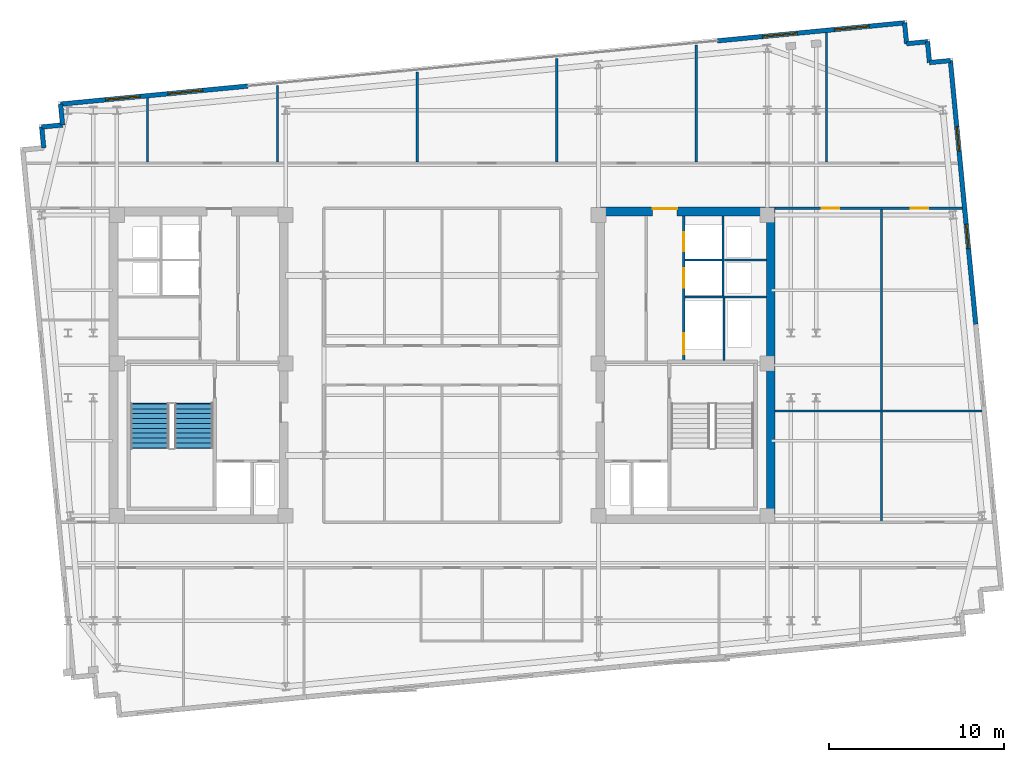
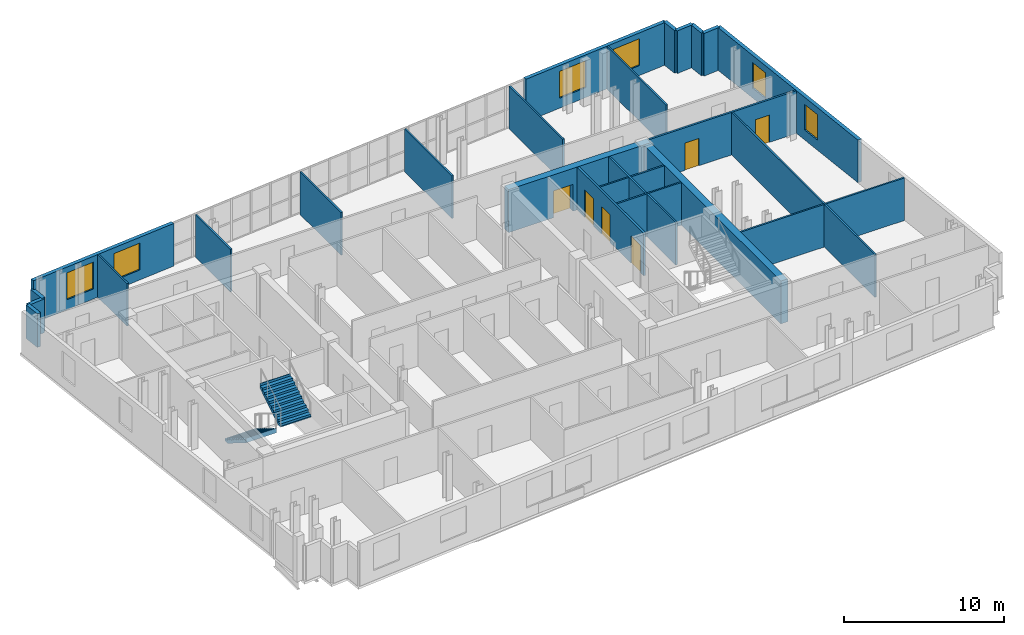
# One storey, part 9 of 11: 27 walls, 6 doors, 6 windows, 2 stair flights, 12 openings, 1 element without a shape of its own.
"""IFC4 building model written with IfcOpenShell, lengths in metres."""

import ifcopenshell
import ifcopenshell.guid

model = None  # the IFC model being written
_history = None  # IfcOwnerHistory: only IFC2X3 demands one
_inside = {}  # id of a spatial element -> (the spatial element, [elements in it])
_under = {}  # id of a project, library or spatial element -> (it, [spatial elements below it])
_declared = {}  # id of a project -> (the project, [libraries it declares])
_typed = {}  # id of a type object -> (the type object, [elements of that type])
_made_of = {}  # id of a material, layer set ... -> (it, [elements and type objects made of it])


def new_model(schema):
    """Start an empty IFC model of exactly this schema.

    Asked for "IFC4X3", IfcOpenShell would pick the latest addendum, in which some entities
    have other attributes; the version numbers below select the first issue.
    IFC2X3 requires an IfcOwnerHistory on every rooted entity: one is made here for all.
    """
    global model, _history
    if schema == "IFC4X3":
        model = ifcopenshell.file(schema_version=(4, 3, 0, 0))
    else:
        model = ifcopenshell.file(schema=schema)
    _inside.clear()
    _under.clear()
    _declared.clear()
    _typed.clear()
    _made_of.clear()
    _history = None
    if model.schema == "IFC2X3":
        org = make("IfcOrganization", Name="unknown")
        user = make(
            "IfcPersonAndOrganization",
            ThePerson=make("IfcPerson", FamilyName="unknown"),
            TheOrganization=org,
        )
        app = make(
            "IfcApplication",
            ApplicationDeveloper=org,
            Version="unknown",
            ApplicationFullName="unknown",
            ApplicationIdentifier="unknown",
        )
        _history = make(
            "IfcOwnerHistory",
            OwningUser=user,
            OwningApplication=app,
            ChangeAction="ADDED",
            CreationDate=0,
        )
    return model


def make(cls, **values):
    """One entity of the class cls with the attributes given. An attribute that is None is left unset."""
    return model.create_entity(
        cls, **{name: value for name, value in values.items() if value is not None}
    )


def rooted(cls, **values):
    """An entity with a GlobalId (a new one), such as an element, a storey or a relation."""
    return make(cls, GlobalId=ifcopenshell.guid.new(), OwnerHistory=_history, **values)


def si_unit(unit_type, name, prefix=None):
    """IfcSIUnit, for example si_unit("LENGTHUNIT", "METRE", prefix="MILLI")."""
    return make("IfcSIUnit", UnitType=unit_type, Prefix=prefix, Name=name)


def assignment(units):
    """IfcUnitAssignment: the units of a project."""
    return None if units is None else make("IfcUnitAssignment", Units=units)


def point(xyz):
    """IfcCartesianPoint."""
    return None if xyz is None else make("IfcCartesianPoint", Coordinates=xyz)


def direction(xyz):
    """IfcDirection."""
    return None if xyz is None else make("IfcDirection", DirectionRatios=xyz)


def frame(location, z_axis=None, x_axis=None):
    """IfcAxis2Placement3D, a coordinate frame: its origin and axes. An axis left out is left unset."""
    return make(
        "IfcAxis2Placement3D",
        Location=point(location),
        Axis=direction(z_axis),
        RefDirection=direction(x_axis),
    )


def frame_2d(location, x_axis=None):
    """IfcAxis2Placement2D, a coordinate frame in the plane: its origin and x axis."""
    return make(
        "IfcAxis2Placement2D", Location=point(location), RefDirection=direction(x_axis)
    )


def origin():
    """The frame at (0, 0, 0) with its axes left unset."""
    return frame((0.0, 0.0, 0.0))


def place(relative_to, where):
    """IfcLocalPlacement: puts the frame where relative to a parent placement (None: the world)."""
    return make(
        "IfcLocalPlacement", PlacementRelTo=relative_to, RelativePlacement=where
    )


def context(
    kind, dimensions, precision=None, world=None, true_north=None, identifier=None
):
    """IfcGeometricRepresentationContext, for example the 3D "Model" context."""
    return make(
        "IfcGeometricRepresentationContext",
        ContextIdentifier=identifier,
        ContextType=kind,
        CoordinateSpaceDimension=dimensions,
        Precision=precision,
        WorldCoordinateSystem=world,
        TrueNorth=true_north,
    )


def subcontext(parent, identifier, kind, view, scale=None):
    """IfcGeometricRepresentationSubContext, for example "Body" below "Model"."""
    return make(
        "IfcGeometricRepresentationSubContext",
        ContextIdentifier=identifier,
        ContextType=kind,
        ParentContext=parent,
        TargetScale=scale,
        TargetView=view,
    )


def project(units=None, contexts=None):
    """IfcProject with its units and contexts."""
    return rooted(
        "IfcProject",
        Name="project",
        RepresentationContexts=contexts,
        UnitsInContext=assignment(units),
    )


def spatial(cls, under=None, at=None, **own):
    """A site, building, storey or space (cls), placed at a placement, below another one or the project."""
    s = rooted(cls, ObjectPlacement=at, **own)
    if under is not None:
        _under.setdefault(under.id(), (under, []))[1].append(s)
    return s


def polyline(points):
    """IfcPolyline through the points."""
    return make("IfcPolyline", Points=[point(p) for p in points])


def profile(cls, at=None, kind="AREA", **sizes):
    """A parametric profile (cls). Its sizes go by their IFC names, for example OverallWidth=200.0."""
    return make(cls, ProfileType=kind, Position=at, **sizes)


def rectangle(**sizes):
    """IfcRectangleProfileDef."""
    return profile("IfcRectangleProfileDef", **sizes)


def outline(outer, holes=None, kind="AREA"):
    """IfcArbitraryClosedProfileDef: a profile drawn as a closed curve; with holes, ...WithVoids."""
    if holes is None:
        return make("IfcArbitraryClosedProfileDef", ProfileType=kind, OuterCurve=outer)
    return make(
        "IfcArbitraryProfileDefWithVoids",
        ProfileType=kind,
        OuterCurve=outer,
        InnerCurves=holes,
    )


def extrude(swept, where, along, depth):
    """IfcExtrudedAreaSolid: the profile swept, set in the frame where, extruded along a direction by depth."""
    return make(
        "IfcExtrudedAreaSolid",
        SweptArea=swept,
        Position=where,
        ExtrudedDirection=direction(along),
        Depth=depth,
    )


def shape(context_of_items, identifier, shape_type, items):
    """IfcShapeRepresentation: the items that make up one representation, for example the "Body"."""
    return make(
        "IfcShapeRepresentation",
        ContextOfItems=context_of_items,
        RepresentationIdentifier=identifier,
        RepresentationType=shape_type,
        Items=items,
    )


def material(Name=None, Category=None):
    """IfcMaterial."""
    return make("IfcMaterial", Name=Name, Category=Category)


def layer(
    of_material, thickness, ventilated=None, Name=None, Category=None, Priority=None
):
    """IfcMaterialLayer: one layer of a wall or slab, of a material (None: an air gap)."""
    return make(
        "IfcMaterialLayer",
        Material=of_material,
        LayerThickness=thickness,
        IsVentilated=ventilated,
        Name=Name,
        Category=Category,
        Priority=Priority,
    )


def layer_set(layers, Name=None):
    """IfcMaterialLayerSet."""
    return make("IfcMaterialLayerSet", MaterialLayers=layers, LayerSetName=Name)


def made_of(thing, what):
    """Note that an element or type object is made of a material, layer set ...; save() writes the relation."""
    if what is not None:
        _made_of.setdefault(what.id(), (what, []))[1].append(thing)
    return thing


def type_object(cls, material=None, **own):
    """A type object (cls), such as IfcWallType, which elements share."""
    return made_of(rooted(cls, **own), material)


def element(
    cls,
    number,
    at=None,
    inside=None,
    cuts=None,
    type_object=None,
    material=None,
    context=None,
    identifier="Body",
    shape_type=None,
    held_by="IfcProductDefinitionShape",
    body=None,
    shapes=None,
    **own,
):
    """One element of the class cls, such as IfcWall. Its Tag is "e" and its number.

    at: its placement. inside: the storey or other place that contains it. cuts: it is an
    opening in that element (IfcRelVoidsElement). A single representation is given by context,
    identifier, shape_type and body (its items); several are given by shapes. held_by: the class
    of the entity that holds the representations. save() writes the other relations.
    """
    e = rooted(cls, Tag="e%d" % number, ObjectPlacement=at, **own)
    if body is not None:
        shapes = [shape(context, identifier, shape_type, body)]
    if shapes is not None:
        e.Representation = make(held_by, Representations=shapes)
    if inside is not None:
        _inside.setdefault(inside.id(), (inside, []))[1].append(e)
    if cuts is not None:
        rooted(
            "IfcRelVoidsElement", RelatingBuildingElement=cuts, RelatedOpeningElement=e
        )
    if type_object is not None:
        _typed.setdefault(type_object.id(), (type_object, []))[1].append(e)
    return made_of(e, material)


def fill(opening, filler):
    """IfcRelFillsElement: the door or window that sits in an opening."""
    return rooted(
        "IfcRelFillsElement",
        RelatingOpeningElement=opening,
        RelatedBuildingElement=filler,
    )


def aggregate(whole, parts):
    """IfcRelAggregates: a whole, such as a stair, and the parts it consists of."""
    return rooted("IfcRelAggregates", RelatingObject=whole, RelatedObjects=parts)


def save(model, path):
    """Write the relations noted so far, then the file.

    IfcRelAggregates (storeys below a building ...), IfcRelContainedInSpatialStructure (elements
    in a storey), IfcRelDefinesByType, IfcRelAssociatesMaterial and IfcRelDeclares: one each for
    every whole, place, type object, material and project.
    """
    for whole, parts in _under.values():
        aggregate(whole, parts)
    for where, things in _inside.values():
        rooted(
            "IfcRelContainedInSpatialStructure",
            RelatedElements=things,
            RelatingStructure=where,
        )
    for kind, things in _typed.values():
        rooted("IfcRelDefinesByType", RelatedObjects=things, RelatingType=kind)
    for what, things in _made_of.values():
        rooted("IfcRelAssociatesMaterial", RelatedObjects=things, RelatingMaterial=what)
    for by, libraries in _declared.values():
        rooted("IfcRelDeclares", RelatingContext=by, RelatedDefinitions=libraries)
    model.write(path)


model = new_model("IFC4")

# Units and contexts
model_context = context("Model", 3, precision=1e-05, world=origin(), true_north=direction((0.0, 1.0)))
body_context = subcontext(model_context, "Body", "Model", "MODEL_VIEW")
ifc_project = project(units=[si_unit("LENGTHUNIT", "METRE"), si_unit("AREAUNIT", "SQUARE_METRE"), si_unit("VOLUMEUNIT", "CUBIC_METRE"), si_unit("PLANEANGLEUNIT", "RADIAN"), si_unit("MASSUNIT", "GRAM", prefix="KILO")], contexts=[model_context])

# Site, building, storey
site_placement = place(None, origin())
site = spatial("IfcSite", under=ifc_project, at=site_placement, CompositionType="ELEMENT")
building_placement = place(site_placement, origin())
building = spatial("IfcBuilding", under=site, at=building_placement, Name="Velakula Bourse", CompositionType="ELEMENT")
storey_placement = place(building_placement, frame((0.0, 0.0, 279.300048828125)))
storey = spatial("IfcBuildingStorey", under=building, at=storey_placement, Name="L76", CompositionType="ELEMENT", Elevation=279.300048828125)

# Wall, opening, door
ifc_material_1 = material(Name="Concrete M50 (fck 50 MPa)", Category="concrete")
ifc_layer_1 = layer(ifc_material_1, 0.5, Name="Concrete M50 (fck 50 MPa)", Category="concrete")
ifc_layer_set_1 = layer_set([ifc_layer_1], Name="Concrete M50 (fck 50 MPa)")
wall_type_1 = type_object("IfcWallType", Name="WL-CORE-500", PredefinedType="SHEAR", material=ifc_layer_set_1)
wall_1_placement = place(storey_placement, frame((8.800048828125, 8.800048828125, 0.0), z_axis=(0.0, 0.0, 1.0), x_axis=(1.0, 0.0, 0.0)))
wall_1 = element("IfcWall", 1, at=wall_1_placement, inside=storey, type_object=wall_type_1, Name="L76 Core E Shear Wall N", PredefinedType="SHEAR", context=body_context, shape_type="SweptSolid", body=[
    extrude(rectangle(XDim=10.25, YDim=0.5, at=frame_2d((5.125, 0.0))), origin(), (0.0, 0.0, 1.0), 3.27001953125),
])
opening_1_placement = place(wall_1_placement, frame((3.25, 0.0, 0.0)))
opening_1 = element("IfcOpeningElement", 2, at=opening_1_placement, cuts=wall_1, Name="Opening D-LLE", PredefinedType="OPENING", context=body_context, shape_type="SweptSolid", body=[
    extrude(rectangle(XDim=1.39990234375, YDim=2.050048828125, at=frame_2d((0.699951171875, 1.02490234375))), frame((0.0, 0.260009765625, 0.0), z_axis=(0.0, -1.0, 0.0), x_axis=(1.0, 0.0, 0.0)), (0.0, 0.0, 1.0), 0.52001953125),
])
ifc_material_2 = material(Name="Fire-rated hardwood flush architectural door", Category="wood")
door_type_1 = type_object("IfcDoorType", Name="DR-DBL-FD60-1400", OperationType="DOUBLE_DOOR_SINGLE_SWING", PredefinedType="DOOR", material=ifc_material_2)
door_1_placement = place(opening_1_placement, origin())
door_1 = element("IfcDoor", 3, at=door_1_placement, inside=storey, type_object=door_type_1, Name="L76 Core E Lift Lobby Corridor Double Door", OperationType="DOUBLE_DOOR_SINGLE_SWING", OverallHeight=2.050048828125, OverallWidth=1.39990234375, PredefinedType="DOOR", context=body_context, shape_type="SweptSolid", body=[
    extrude(rectangle(XDim=1.39990234375, YDim=2.050048828125, at=frame_2d((0.699951171875, 1.02490234375))), frame((0.0, 0.19482421875, 0.0), z_axis=(0.0, -1.0, 0.0), x_axis=(1.0, 0.0, 0.0)), (0.0, 0.0, 1.0), 0.050048828125),
])
fill(opening_1, door_1)

# Wall
wall_2_placement = place(storey_placement, frame((18.800048828125, -8.550048828125, 0.0), z_axis=(0.0, 0.0, 1.0), x_axis=(0.0, 1.0, 0.0)))
element("IfcWall", 4, at=wall_2_placement, inside=storey, type_object=wall_type_1, Name="L76 Core E Shear Wall E", PredefinedType="SHEAR", context=body_context, shape_type="SweptSolid", body=[
    extrude(rectangle(XDim=17.10009765625, YDim=0.5, at=frame_2d((8.550048828125, 0.0))), origin(), (0.0, 0.0, 1.0), 3.27001953125),
])

# Wall, openings, windows
ifc_material_3 = material(Name="Buff kilned clay facing brick masonry", Category="masonry")
ifc_layer_2 = layer(ifc_material_3, 0.260009765625, Name="Buff kilned clay facing brick masonry", Category="masonry")
ifc_layer_set_2 = layer_set([ifc_layer_2], Name="Buff kilned clay facing brick masonry")
wall_type_2 = type_object("IfcWallType", Name="WL-EXT-BRK-260", PredefinedType="STANDARD", material=ifc_layer_set_2)
wall_3_placement = place(storey_placement, frame((-21.820556640625, 14.94482421875, 0.0), z_axis=(0.0, 0.0, 1.0), x_axis=(0.995394787719, 0.095860401528, 0.0)))
wall_3 = element("IfcWall", 5, at=wall_3_placement, inside=storey, type_object=wall_type_2, Name="L76 N Brick Spandrel Wall B1", PredefinedType="STANDARD", context=body_context, shape_type="SweptSolid", body=[
    extrude(rectangle(XDim=10.750244140625, YDim=0.260009765625, at=frame_2d((5.375, 0.0))), origin(), (0.0, 0.0, 1.0), 3.25),
])
opening_2_placement = place(wall_3_placement, frame((2.583251953125, 0.0, 0.760009765625)))
opening_2 = element("IfcOpeningElement", 6, at=opening_2_placement, cuts=wall_3, Name="Opening W-05", PredefinedType="OPENING", context=body_context, shape_type="SweptSolid", body=[
    extrude(rectangle(XDim=2.0, YDim=2.050048828125, at=frame_2d((1.0, 1.02490234375))), frame((0.0, 0.139892578125, 0.0), z_axis=(0.0, -1.0, 0.0), x_axis=(1.0, 0.0, 0.0)), (0.0, 0.0, 1.0), 0.280029296875),
])
opening_3_placement = place(wall_3_placement, frame((6.166748046875, 0.0, 0.760009765625)))
opening_3 = element("IfcOpeningElement", 7, at=opening_3_placement, cuts=wall_3, Name="Opening W-05", PredefinedType="OPENING", context=body_context, shape_type="SweptSolid", body=[
    extrude(rectangle(XDim=2.0, YDim=2.050048828125, at=frame_2d((1.0, 1.02490234375))), frame((0.0, 0.139892578125, 0.0), z_axis=(0.0, -1.0, 0.0), x_axis=(1.0, 0.0, 0.0)), (0.0, 0.0, 1.0), 0.280029296875),
])
ifc_material_4 = material(Name="Double-glazed solar-control Low-E glass", Category="glass")
window_type_1 = type_object("IfcWindowType", Name="WIN-TWR-2000x2200", PartitioningType="DOUBLE_PANEL_VERTICAL", PredefinedType="WINDOW", material=ifc_material_4)
window_1_placement = place(opening_2_placement, origin())
window_1 = element("IfcWindow", 8, at=window_1_placement, inside=storey, type_object=window_type_1, Name="L76 Deep-Set Recessed Window 1", OverallHeight=2.050048828125, OverallWidth=2.0, PartitioningType="DOUBLE_PANEL_VERTICAL", PredefinedType="WINDOW", context=body_context, shape_type="SweptSolid", body=[
    extrude(rectangle(XDim=2.0, YDim=2.050048828125, at=frame_2d((1.0, 1.02490234375))), frame((0.0, 0.030029296875, 0.0), z_axis=(0.0, -1.0, 0.0), x_axis=(1.0, 0.0, 0.0)), (0.0, 0.0, 1.0), 0.06005859375),
])
fill(opening_2, window_1)
window_2_placement = place(opening_3_placement, origin())
window_2 = element("IfcWindow", 9, at=window_2_placement, inside=storey, type_object=window_type_1, Name="L76 Deep-Set Recessed Window 2", OverallHeight=2.050048828125, OverallWidth=2.0, PartitioningType="DOUBLE_PANEL_VERTICAL", PredefinedType="WINDOW", context=body_context, shape_type="SweptSolid", body=[
    extrude(rectangle(XDim=2.0, YDim=2.050048828125, at=frame_2d((1.0, 1.02490234375))), frame((0.0, 0.030029296875, 0.0), z_axis=(0.0, -1.0, 0.0), x_axis=(1.0, 0.0, 0.0)), (0.0, 0.0, 1.0), 0.06005859375),
])
fill(opening_3, window_2)

wall_4_placement = place(storey_placement, frame((15.755859375, 18.563232421875, 0.0), z_axis=(0.0, 0.0, 1.0), x_axis=(0.995396745868, 0.095840066339, 0.0)))
wall_4 = element("IfcWall", 10, at=wall_4_placement, inside=storey, type_object=wall_type_2, Name="L76 N Brick Spandrel Wall B5", PredefinedType="STANDARD", context=body_context, shape_type="SweptSolid", body=[
    extrude(rectangle(XDim=10.75, YDim=0.260009765625, at=frame_2d((5.375, 0.0))), origin(), (0.0, 0.0, 1.0), 3.25),
])
opening_4_placement = place(wall_4_placement, frame((2.583251953125, 0.0, 0.760009765625)))
opening_4 = element("IfcOpeningElement", 11, at=opening_4_placement, cuts=wall_4, Name="Opening W-05", PredefinedType="OPENING", context=body_context, shape_type="SweptSolid", body=[
    extrude(rectangle(XDim=2.0, YDim=2.050048828125, at=frame_2d((1.0, 1.02490234375))), frame((0.0, 0.139892578125, 0.0), z_axis=(0.0, -1.0, 0.0), x_axis=(1.0, 0.0, 0.0)), (0.0, 0.0, 1.0), 0.280029296875),
])
opening_5_placement = place(wall_4_placement, frame((6.716796875, 0.0, 0.760009765625)))
opening_5 = element("IfcOpeningElement", 12, at=opening_5_placement, cuts=wall_4, Name="Opening W-05", PredefinedType="OPENING", context=body_context, shape_type="SweptSolid", body=[
    extrude(rectangle(XDim=2.0, YDim=2.050048828125, at=frame_2d((1.0, 1.02490234375))), frame((0.0, 0.139892578125, 0.0), z_axis=(0.0, -1.0, 0.0), x_axis=(1.0, 0.0, 0.0)), (0.0, 0.0, 1.0), 0.280029296875),
])
window_3_placement = place(opening_4_placement, origin())
window_3 = element("IfcWindow", 13, at=window_3_placement, inside=storey, type_object=window_type_1, Name="L76 Deep-Set Recessed Window 1", OverallHeight=2.050048828125, OverallWidth=2.0, PartitioningType="DOUBLE_PANEL_VERTICAL", PredefinedType="WINDOW", context=body_context, shape_type="SweptSolid", body=[
    extrude(rectangle(XDim=2.0, YDim=2.050048828125, at=frame_2d((1.0, 1.02490234375))), frame((0.0, 0.030029296875, 0.0), z_axis=(0.0, -1.0, 0.0), x_axis=(1.0, 0.0, 0.0)), (0.0, 0.0, 1.0), 0.06005859375),
])
fill(opening_4, window_3)
window_4_placement = place(opening_5_placement, origin())
window_4 = element("IfcWindow", 14, at=window_4_placement, inside=storey, type_object=window_type_1, Name="L76 Deep-Set Recessed Window 2", OverallHeight=2.050048828125, OverallWidth=2.0, PartitioningType="DOUBLE_PANEL_VERTICAL", PredefinedType="WINDOW", context=body_context, shape_type="SweptSolid", body=[
    extrude(rectangle(XDim=2.0, YDim=2.050048828125, at=frame_2d((1.0, 1.02490234375))), frame((0.0, 0.030029296875, 0.0), z_axis=(0.0, -1.0, 0.0), x_axis=(1.0, 0.0, 0.0)), (0.0, 0.0, 1.0), 0.06005859375),
])
fill(opening_5, window_4)

wall_5_placement = place(storey_placement, frame((29.0751953125, 17.4345703125, 0.0), z_axis=(0.0, 0.0, 1.0), x_axis=(0.095850890337, -0.995395703638, 0.0)))
wall_5 = element("IfcWall", 15, at=wall_5_placement, inside=storey, type_object=wall_type_2, Name="L76 E Brick End Wall W2", PredefinedType="STANDARD", context=body_context, shape_type="SweptSolid", body=[
    extrude(rectangle(XDim=15.150146484375, YDim=0.260009765625, at=frame_2d((7.5751953125, 0.0))), origin(), (0.0, 0.0, 1.0), 3.25),
])
opening_6_placement = place(wall_5_placement, frame((3.800048828125, 0.0, 0.760009765625)))
opening_6 = element("IfcOpeningElement", 16, at=opening_6_placement, cuts=wall_5, Name="Opening W-03", PredefinedType="OPENING", context=body_context, shape_type="SweptSolid", body=[
    extrude(rectangle(XDim=1.39990234375, YDim=1.949951171875, at=frame_2d((0.699951171875, 0.97509765625))), frame((0.0, 0.139892578125, 0.0), z_axis=(0.0, -1.0, 0.0), x_axis=(1.0, 0.0, 0.0)), (0.0, 0.0, 1.0), 0.280029296875),
])
opening_7_placement = place(wall_5_placement, frame((9.39990234375, 0.0, 0.760009765625)))
opening_7 = element("IfcOpeningElement", 17, at=opening_7_placement, cuts=wall_5, Name="Opening W-03", PredefinedType="OPENING", context=body_context, shape_type="SweptSolid", body=[
    extrude(rectangle(XDim=1.39990234375, YDim=1.949951171875, at=frame_2d((0.699951171875, 0.97509765625))), frame((0.0, 0.139892578125, 0.0), z_axis=(0.0, -1.0, 0.0), x_axis=(1.0, 0.0, 0.0)), (0.0, 0.0, 1.0), 0.280029296875),
])
window_type_2 = type_object("IfcWindowType", Name="WIN-TWR-1400x2100", PartitioningType="SINGLE_PANEL", PredefinedType="WINDOW", material=ifc_material_4)
window_5_placement = place(opening_6_placement, origin())
window_5 = element("IfcWindow", 18, at=window_5_placement, inside=storey, type_object=window_type_2, Name="L76 Deep-Set Recessed Window 1", OverallHeight=1.949951171875, OverallWidth=1.39990234375, PartitioningType="SINGLE_PANEL", PredefinedType="WINDOW", context=body_context, shape_type="SweptSolid", body=[
    extrude(rectangle(XDim=1.39990234375, YDim=1.949951171875, at=frame_2d((0.699951171875, 0.97509765625))), frame((0.0, 0.030029296875, 0.0), z_axis=(0.0, -1.0, 0.0), x_axis=(1.0, 0.0, 0.0)), (0.0, 0.0, 1.0), 0.06005859375),
])
fill(opening_6, window_5)
window_6_placement = place(opening_7_placement, origin())
window_6 = element("IfcWindow", 19, at=window_6_placement, inside=storey, type_object=window_type_2, Name="L76 Deep-Set Recessed Window 2", OverallHeight=1.949951171875, OverallWidth=1.39990234375, PartitioningType="SINGLE_PANEL", PredefinedType="WINDOW", context=body_context, shape_type="SweptSolid", body=[
    extrude(rectangle(XDim=1.39990234375, YDim=1.949951171875, at=frame_2d((0.699951171875, 0.97509765625))), frame((0.0, 0.030029296875, 0.0), z_axis=(0.0, -1.0, 0.0), x_axis=(1.0, 0.0, 0.0)), (0.0, 0.0, 1.0), 0.06005859375),
])
fill(opening_7, window_6)

# Walls
for number, where, z_axis, x_axis, name in (
    (20, (29.0751953125, 17.4345703125, 0.0), (0.0, 0.0, 1.0), (-0.995397091755, -0.095836473879, 0.0), "L76 Serrated Corner Brick Wall NE-1"),
    (21, (27.880859375, 17.319580078125, 0.0), (0.0, 0.0, 1.0), (-0.095836473879, 0.995397091755, 0.0), "L76 Serrated Corner Brick Wall NE-2"),
):
    element("IfcWall", number, at=place(storey_placement, frame(where, z_axis=z_axis, x_axis=x_axis)), inside=storey, type_object=wall_type_2, Name=name, PredefinedType="STANDARD", context=body_context, shape_type="SweptSolid", body=[
        extrude(rectangle(XDim=1.199951171875, YDim=0.260009765625, at=frame_2d((0.60009765625, 0.0))), origin(), (0.0, 0.0, 1.0), 3.25),
    ])
for number, where, z_axis, x_axis, name in (
    (22, (27.765869140625, 18.513916015625, 0.0), (0.0, 0.0, 1.0), (-0.995398960025, -0.095817067274, 0.0), "L76 Serrated Corner Brick Wall NE-3"),
    (23, (26.5712890625, 18.39892578125, 0.0), (0.0, 0.0, 1.0), (-0.095817067274, 0.995398960025, 0.0), "L76 Serrated Corner Brick Wall NE-4"),
):
    element("IfcWall", number, at=place(storey_placement, frame(where, z_axis=z_axis, x_axis=x_axis)), inside=storey, type_object=wall_type_2, Name=name, PredefinedType="STANDARD", context=body_context, shape_type="SweptSolid", body=[
        extrude(rectangle(XDim=1.2001953125, YDim=0.260009765625, at=frame_2d((0.60009765625, 0.0))), origin(), (0.0, 0.0, 1.0), 3.25),
    ])
wall_6_placement = place(storey_placement, frame((-21.820556640625, 14.94482421875, 0.0), z_axis=(0.0, 0.0, 1.0), x_axis=(0.096038073607, -0.995377661201, 0.0)))
element("IfcWall", 24, at=wall_6_placement, inside=storey, type_object=wall_type_2, Name="L76 Serrated Corner Brick Wall NW-1", PredefinedType="STANDARD", context=body_context, shape_type="SweptSolid", body=[
    extrude(rectangle(XDim=1.199951171875, YDim=0.260009765625, at=frame_2d((0.60009765625, 0.0))), origin(), (0.0, 0.0, 1.0), 2.56494140625),
])
for number, where, z_axis, x_axis, name in (
    (25, (-21.705322265625, 13.75048828125, 0.0), (0.0, 0.0, 1.0), (-0.995398960025, -0.095817067274, 0.0), "L76 Serrated Corner Brick Wall NW-2"),
    (26, (-22.89990234375, 13.635498046875, 0.0), (0.0, 0.0, 1.0), (0.095817067274, -0.995398960025, 0.0), "L76 Serrated Corner Brick Wall NW-3"),
):
    element("IfcWall", number, at=place(storey_placement, frame(where, z_axis=z_axis, x_axis=x_axis)), inside=storey, type_object=wall_type_2, Name=name, PredefinedType="STANDARD", context=body_context, shape_type="SweptSolid", body=[
        extrude(rectangle(XDim=1.2001953125, YDim=0.260009765625, at=frame_2d((0.60009765625, 0.0))), origin(), (0.0, 0.0, 1.0), 2.56494140625),
    ])
ifc_material_5 = material(Name="Fire-rated double-layer gypsum drywall partition", Category="gypsum")
ifc_layer_3 = layer(ifc_material_5, 0.1201171875, Name="Fire-rated double-layer gypsum drywall partition", Category="gypsum")
ifc_layer_set_3 = layer_set([ifc_layer_3], Name="Fire-rated double-layer gypsum drywall partition")
wall_type_3 = type_object("IfcWallType", Name="WL-PART-120", PredefinedType="STANDARD", material=ifc_layer_set_3)
wall_7_placement = place(storey_placement, frame((13.89990234375, 3.919921875, 0.0), z_axis=(0.0, 0.0, 1.0), x_axis=(1.0, 0.0, 0.0)))
element("IfcWall", 27, at=wall_7_placement, inside=storey, type_object=wall_type_3, Name="L76 Interior Partition WL-CRE-L76-HI-S", PredefinedType="STANDARD", context=body_context, shape_type="SweptSolid", body=[
    extrude(rectangle(XDim=4.650146484375, YDim=0.1201171875, at=frame_2d((2.3251953125, 0.0))), origin(), (0.0, 0.0, 1.0), 3.25),
])
wall_8_placement = place(storey_placement, frame((16.14990234375, 6.030029296875, 0.0), z_axis=(0.0, 0.0, 1.0), x_axis=(1.0, 0.0, 0.0)))
element("IfcWall", 28, at=wall_8_placement, inside=storey, type_object=wall_type_3, Name="L76 Interior Partition WL-CRE-L76-RIS-MID", PredefinedType="STANDARD", context=body_context, shape_type="SweptSolid", body=[
    extrude(rectangle(XDim=2.400146484375, YDim=0.1201171875, at=frame_2d((1.2001953125, 0.0))), origin(), (0.0, 0.0, 1.0), 3.25),
])
wall_9_placement = place(storey_placement, frame((16.074951171875, 3.97998046875, 0.0), z_axis=(0.0, 0.0, 1.0), x_axis=(0.0, 1.0, 0.0)))
element("IfcWall", 29, at=wall_9_placement, inside=storey, type_object=wall_type_3, Name="L76 Interior Partition WL-CRE-L76-RIS-F", PredefinedType="STANDARD", context=body_context, shape_type="SweptSolid", body=[
    extrude(rectangle(XDim=4.570068359375, YDim=0.1201171875, at=frame_2d((2.28515625, 0.0))), origin(), (0.0, 0.0, 1.0), 3.25),
])
wall_10_placement = place(storey_placement, frame((13.89990234375, 6.030029296875, 0.0), z_axis=(0.0, 0.0, 1.0), x_axis=(1.0, 0.0, 0.0)))
element("IfcWall", 30, at=wall_10_placement, inside=storey, type_object=wall_type_3, Name="L76 Interior Partition WL-CRE-L76-HI-DIV", PredefinedType="STANDARD", context=body_context, shape_type="SweptSolid", body=[
    extrude(rectangle(XDim=2.10009765625, YDim=0.1201171875, at=frame_2d((1.050048828125, 0.0))), origin(), (0.0, 0.0, 1.0), 3.25),
])
wall_11_placement = place(storey_placement, frame((16.125, 0.27001953125, 0.0), z_axis=(0.0, 0.0, 1.0), x_axis=(0.0, 1.0, 0.0)))
element("IfcWall", 31, at=wall_11_placement, inside=storey, type_object=wall_type_3, Name="L76 Interior Partition WL-CRE-L76-SVL-E", PredefinedType="STANDARD", context=body_context, shape_type="SweptSolid", body=[
    extrude(rectangle(XDim=3.590087890625, YDim=0.1201171875, at=frame_2d((1.794921875, 0.0))), origin(), (0.0, 0.0, 1.0), 3.25),
])
wall_12_placement = place(storey_placement, frame((-16.85400390625, 11.639892578125, 0.0), z_axis=(0.0, 0.0, 1.0), x_axis=(0.0, 1.0, 0.0)))
element("IfcWall", 32, at=wall_12_placement, inside=storey, type_object=wall_type_3, Name="L76 Interior Partition WL-INT-L76-N-D1", PredefinedType="STANDARD", context=body_context, shape_type="SweptSolid", body=[
    extrude(rectangle(XDim=3.652587890625, YDim=0.1201171875, at=frame_2d((1.826171875, 0.0))), origin(), (0.0, 0.0, 1.0), 3.25),
])
wall_13_placement = place(storey_placement, frame((-9.404052734375, 11.639892578125, 0.0), z_axis=(0.0, 0.0, 1.0), x_axis=(0.0, 1.0, 0.0)))
element("IfcWall", 33, at=wall_13_placement, inside=storey, type_object=wall_type_3, Name="L76 Interior Partition WL-INT-L76-N-D2", PredefinedType="STANDARD", context=body_context, shape_type="SweptSolid", body=[
    extrude(rectangle(XDim=4.3701171875, YDim=0.1201171875, at=frame_2d((2.18505859375, 0.0))), origin(), (0.0, 0.0, 1.0), 3.25),
])
wall_14_placement = place(storey_placement, frame((-1.422119140625, 11.639892578125, 0.0), z_axis=(0.0, 0.0, 1.0), x_axis=(0.0, 1.0, 0.0)))
element("IfcWall", 34, at=wall_14_placement, inside=storey, type_object=wall_type_3, Name="L76 Interior Partition WL-INT-L76-N-D3", PredefinedType="STANDARD", context=body_context, shape_type="SweptSolid", body=[
    extrude(rectangle(XDim=5.138671875, YDim=0.1201171875, at=frame_2d((2.5693359375, 0.0))), origin(), (0.0, 0.0, 1.0), 3.25),
])
wall_15_placement = place(storey_placement, frame((6.56005859375, 11.639892578125, 0.0), z_axis=(0.0, 0.0, 1.0), x_axis=(0.0, 1.0, 0.0)))
element("IfcWall", 35, at=wall_15_placement, inside=storey, type_object=wall_type_3, Name="L76 Interior Partition WL-INT-L76-N-D4", PredefinedType="STANDARD", context=body_context, shape_type="SweptSolid", body=[
    extrude(rectangle(XDim=5.9072265625, YDim=0.1201171875, at=frame_2d((2.95361328125, 0.0))), origin(), (0.0, 0.0, 1.0), 3.25),
])
wall_16_placement = place(storey_placement, frame((14.5419921875, 11.639892578125, 0.0), z_axis=(0.0, 0.0, 1.0), x_axis=(0.0, 1.0, 0.0)))
element("IfcWall", 36, at=wall_16_placement, inside=storey, type_object=wall_type_3, Name="L76 Interior Partition WL-INT-L76-N-D5", PredefinedType="STANDARD", context=body_context, shape_type="SweptSolid", body=[
    extrude(rectangle(XDim=6.67578125, YDim=0.1201171875, at=frame_2d((3.337890625, 0.0))), origin(), (0.0, 0.0, 1.0), 3.25),
])
wall_17_placement = place(storey_placement, frame((21.991943359375, 11.639892578125, 0.0), z_axis=(0.0, 0.0, 1.0), x_axis=(0.0, 1.0, 0.0)))
element("IfcWall", 37, at=wall_17_placement, inside=storey, type_object=wall_type_3, Name="L76 Interior Partition WL-INT-L76-N-D6", PredefinedType="STANDARD", context=body_context, shape_type="SweptSolid", body=[
    extrude(rectangle(XDim=7.39306640625, YDim=0.1201171875, at=frame_2d((3.696533203125, 0.0))), origin(), (0.0, 0.0, 1.0), 3.25),
])
wall_18_placement = place(storey_placement, frame((19.050048828125, -2.60009765625, 0.0), z_axis=(0.0, 0.0, 1.0), x_axis=(1.0, 0.0, 0.0)))
element("IfcWall", 38, at=wall_18_placement, inside=storey, type_object=wall_type_3, Name="L76 Interior Partition WL-INT-L76-E-H", PredefinedType="STANDARD", context=body_context, shape_type="SweptSolid", body=[
    extrude(rectangle(XDim=11.82373046875, YDim=0.1201171875, at=frame_2d((5.911865234375, 0.0))), origin(), (0.0, 0.0, 1.0), 3.25),
])
wall_19_placement = place(storey_placement, frame((25.138916015625, -8.97998046875, 0.0), z_axis=(0.0, 0.0, 1.0), x_axis=(0.0, 1.0, 0.0)))
element("IfcWall", 39, at=wall_19_placement, inside=storey, type_object=wall_type_3, Name="L76 Interior Partition WL-INT-L76-E-V1", PredefinedType="STANDARD", context=body_context, shape_type="SweptSolid", body=[
    extrude(rectangle(XDim=17.9599609375, YDim=0.1201171875, at=frame_2d((8.97998046875, 0.0))), origin(), (0.0, 0.0, 1.0), 3.25),
])

# Wall, openings, doors
ifc_layer_4 = layer(ifc_material_5, 0.139892578125, Name="Fire-rated double-layer gypsum drywall partition", Category="gypsum")
ifc_layer_set_4 = layer_set([ifc_layer_4], Name="Fire-rated double-layer gypsum drywall partition")
wall_type_4 = type_object("IfcWallType", Name="WL-PART-140", PredefinedType="STANDARD", material=ifc_layer_set_4)
wall_20_placement = place(storey_placement, frame((19.050048828125, 8.97998046875, 0.0), z_axis=(0.0, 0.0, 1.0), x_axis=(1.0, 0.0, 0.0)))
wall_20 = element("IfcWall", 40, at=wall_20_placement, inside=storey, type_object=wall_type_4, Name="L76 Interior Partition WL-INT-L76-E-NC", PredefinedType="STANDARD", context=body_context, shape_type="SweptSolid", body=[
    extrude(rectangle(XDim=10.708740234375, YDim=0.139892578125, at=frame_2d((5.3544921875, 0.0))), origin(), (0.0, 0.0, 1.0), 3.25),
])
opening_8_placement = place(wall_20_placement, frame((2.674560546875, 0.0, 0.0)))
opening_8 = element("IfcOpeningElement", 41, at=opening_8_placement, cuts=wall_20, Name="Opening D-OF1", PredefinedType="OPENING", context=body_context, shape_type="SweptSolid", body=[
    extrude(rectangle(XDim=1.0, YDim=2.080078125, at=frame_2d((0.5, 1.0400390625))), frame((0.0, 0.079833984375, 0.0), z_axis=(0.0, -1.0, 0.0), x_axis=(1.0, 0.0, 0.0)), (0.0, 0.0, 1.0), 0.159912109375),
])
opening_9_placement = place(wall_20_placement, frame((7.768798828125, 0.0, 0.0)))
opening_9 = element("IfcOpeningElement", 42, at=opening_9_placement, cuts=wall_20, Name="Opening D-OF1", PredefinedType="OPENING", context=body_context, shape_type="SweptSolid", body=[
    extrude(rectangle(XDim=1.0, YDim=2.080078125, at=frame_2d((0.5, 1.0400390625))), frame((0.0, 0.079833984375, 0.0), z_axis=(0.0, -1.0, 0.0), x_axis=(1.0, 0.0, 0.0)), (0.0, 0.0, 1.0), 0.159912109375),
])
door_type_2 = type_object("IfcDoorType", Name="DR-OFF-1000", OperationType="NOTDEFINED", PredefinedType="DOOR", material=ifc_material_2)
door_2_placement = place(opening_8_placement, origin())
door_2 = element("IfcDoor", 43, at=door_2_placement, inside=storey, type_object=door_type_2, Name="L76 Broadcast Control Office Door", OperationType="SINGLE_SWING_LEFT", OverallHeight=2.080078125, OverallWidth=1.0, PredefinedType="DOOR", context=body_context, shape_type="SweptSolid", body=[
    extrude(rectangle(XDim=1.0, YDim=2.080078125, at=frame_2d((0.5, 1.0400390625))), frame((0.0, 0.02490234375, 0.0), z_axis=(0.0, -1.0, 0.0), x_axis=(1.0, 0.0, 0.0)), (0.0, 0.0, 1.0), 0.050048828125),
])
fill(opening_8, door_2)
door_3_placement = place(opening_9_placement, origin())
door_3 = element("IfcDoor", 44, at=door_3_placement, inside=storey, type_object=door_type_2, Name="L76 Disciplinary Hearing Room Door", OperationType="SINGLE_SWING_RIGHT", OverallHeight=2.080078125, OverallWidth=1.0, PredefinedType="DOOR", context=body_context, shape_type="SweptSolid", body=[
    extrude(rectangle(XDim=1.0, YDim=2.080078125, at=frame_2d((0.5, 1.0400390625))), frame((0.0, 0.02490234375, 0.0), z_axis=(0.0, -1.0, 0.0), x_axis=(1.0, 0.0, 0.0)), (0.0, 0.0, 1.0), 0.050048828125),
])
fill(opening_9, door_3)

ifc_material_6 = material(Name="Autoclaved aerated concrete blockwork masonry", Category="masonry")
ifc_layer_5 = layer(ifc_material_6, 0.14990234375, Name="Autoclaved aerated concrete blockwork masonry", Category="masonry")
ifc_layer_set_5 = layer_set([ifc_layer_5], Name="Autoclaved aerated concrete blockwork masonry")
wall_type_5 = type_object("IfcWallType", Name="WL-SHAFT-150", PredefinedType="STANDARD", material=ifc_layer_set_5)
wall_21_placement = place(storey_placement, frame((13.824951171875, 0.27001953125, 0.0), z_axis=(0.0, 0.0, 1.0), x_axis=(0.0, 1.0, 0.0)))
wall_21 = element("IfcWall", 45, at=wall_21_placement, inside=storey, type_object=wall_type_5, Name="L76 Interior Partition WL-CRE-L76-OUT-F", PredefinedType="STANDARD", context=body_context, shape_type="SweptSolid", body=[
    extrude(rectangle(XDim=8.280029296875, YDim=0.14990234375, at=frame_2d((4.14013671875, 0.0))), origin(), (0.0, 0.0, 1.0), 3.25),
])
opening_10_placement = place(wall_21_placement, frame((4.175048828125, 0.0, 0.0)))
opening_10 = element("IfcOpeningElement", 46, at=opening_10_placement, cuts=wall_21, Name="Opening LD-P11", PredefinedType="OPENING", context=body_context, shape_type="SweptSolid", body=[
    extrude(rectangle(XDim=1.10009765625, YDim=2.10009765625, at=frame_2d((0.550048828125, 1.050048828125))), frame((0.0, 0.0849609375, 0.0), z_axis=(0.0, -1.0, 0.0), x_axis=(1.0, 0.0, 0.0)), (0.0, 0.0, 1.0), 0.169921875),
])
opening_11_placement = place(wall_21_placement, frame((6.2451171875, 0.0, 0.0)))
opening_11 = element("IfcOpeningElement", 47, at=opening_11_placement, cuts=wall_21, Name="Opening LD-P12", PredefinedType="OPENING", context=body_context, shape_type="SweptSolid", body=[
    extrude(rectangle(XDim=1.10009765625, YDim=2.10009765625, at=frame_2d((0.550048828125, 1.050048828125))), frame((0.0, 0.0849609375, 0.0), z_axis=(0.0, -1.0, 0.0), x_axis=(1.0, 0.0, 0.0)), (0.0, 0.0, 1.0), 0.169921875),
])
opening_12_placement = place(wall_21_placement, frame((0.3798828125, 0.0, 0.0)))
opening_12 = element("IfcOpeningElement", 48, at=opening_12_placement, cuts=wall_21, Name="Opening LD-SVL1", PredefinedType="OPENING", context=body_context, shape_type="SweptSolid", body=[
    extrude(rectangle(XDim=1.199951171875, YDim=2.10009765625, at=frame_2d((0.60009765625, 1.050048828125))), frame((0.0, 0.0849609375, 0.0), z_axis=(0.0, -1.0, 0.0), x_axis=(1.0, 0.0, 0.0)), (0.0, 0.0, 1.0), 0.169921875),
])
ifc_material_7 = material(Name="Brushed grade 316 stainless steel", Category="steel")
door_type_3 = type_object("IfcDoorType", Name="DR-SLIDE-LD-1100", OperationType="DOUBLE_DOOR_SLIDING", PredefinedType="DOOR", material=ifc_material_7)
door_4_placement = place(opening_10_placement, origin())
door_4 = element("IfcDoor", 49, at=door_4_placement, inside=storey, type_object=door_type_3, Name="L76 Passenger Lift P11 Sliding Landing Door", OperationType="DOUBLE_DOOR_SLIDING", OverallHeight=2.10009765625, OverallWidth=1.10009765625, PredefinedType="DOOR", context=body_context, shape_type="SweptSolid", body=[
    extrude(rectangle(XDim=1.10009765625, YDim=2.10009765625, at=frame_2d((0.550048828125, 1.050048828125))), frame((0.0, 0.02490234375, 0.0), z_axis=(0.0, -1.0, 0.0), x_axis=(1.0, 0.0, 0.0)), (0.0, 0.0, 1.0), 0.050048828125),
])
fill(opening_10, door_4)
door_5_placement = place(opening_11_placement, origin())
door_5 = element("IfcDoor", 50, at=door_5_placement, inside=storey, type_object=door_type_3, Name="L76 Passenger Lift P12 Sliding Landing Door", OperationType="DOUBLE_DOOR_SLIDING", OverallHeight=2.10009765625, OverallWidth=1.10009765625, PredefinedType="DOOR", context=body_context, shape_type="SweptSolid", body=[
    extrude(rectangle(XDim=1.10009765625, YDim=2.10009765625, at=frame_2d((0.550048828125, 1.050048828125))), frame((0.0, 0.02490234375, 0.0), z_axis=(0.0, -1.0, 0.0), x_axis=(1.0, 0.0, 0.0)), (0.0, 0.0, 1.0), 0.050048828125),
])
fill(opening_11, door_5)
door_type_4 = type_object("IfcDoorType", Name="DR-SLIDE-LD-1200", OperationType="DOUBLE_DOOR_SLIDING", PredefinedType="DOOR", material=ifc_material_7)
door_6_placement = place(opening_12_placement, origin())
door_6 = element("IfcDoor", 51, at=door_6_placement, inside=storey, type_object=door_type_4, Name="L76 Service Lift SVL-1 Sliding Landing Door", OperationType="DOUBLE_DOOR_SLIDING", OverallHeight=2.10009765625, OverallWidth=1.199951171875, PredefinedType="DOOR", context=body_context, shape_type="SweptSolid", body=[
    extrude(rectangle(XDim=1.199951171875, YDim=2.10009765625, at=frame_2d((0.60009765625, 1.050048828125))), frame((0.0, 0.02490234375, 0.0), z_axis=(0.0, -1.0, 0.0), x_axis=(1.0, 0.0, 0.0)), (0.0, 0.0, 1.0), 0.050048828125),
])
fill(opening_12, door_6)

# Stair, stair flights
ifc_material_8 = material(Name="Concrete M45 (fck 45 MPa)", Category="concrete")
stair_type = type_object("IfcStairType", Name="STR-DOG-390", PredefinedType="HALF_TURN_STAIR", material=ifc_material_8)
stair_placement = place(storey_placement, origin())
stair = element("IfcStair", 52, at=stair_placement, inside=storey, type_object=stair_type, Name="L76 West Core Exit Stair ST-W1", PredefinedType="HALF_TURN_STAIR")
ifc_layer_6 = layer(ifc_material_8, 0.195068359375, Name="Concrete M45 (fck 45 MPa)", Category="concrete")
ifc_layer_set_6 = layer_set([ifc_layer_6], Name="Concrete M45 (fck 45 MPa)")
stair_flight_type = type_object("IfcStairFlightType", Name="FLT-DOG-390", PredefinedType="STRAIGHT", material=ifc_layer_set_6)
stair_flight_1_placement = place(storey_placement, frame((-16.720947265625, -2.199951171875, 0.0), z_axis=(0.0, 0.0, 1.0), x_axis=(0.0, -1.0, 0.0)))
stair_flight_1 = element("IfcStairFlight", 53, at=stair_flight_1_placement, type_object=stair_flight_type, Name="ST-W1 flight 1", NumberOfRisers=10, NumberOfTreads=9, PredefinedType="STRAIGHT", RiserHeight=0.1725, TreadLength=0.28, context=body_context, shape_type="SweptSolid", body=[
    extrude(outline(polyline([(-0.044921875, -0.0400390625), (-0.044921875, -0.036865234375), (-0.044921875, -0.033935546875), (-0.044921875, -0.03076171875), (-0.044921875, -0.027587890625), (-0.044921875, -0.024658203125), (-0.044921875, -0.021484375), (-0.044921875, -0.0185546875), (-0.044921875, -0.015380859375), (-0.044921875, -0.01220703125), (-0.044921875, -0.00927734375), (-0.044921875, -0.006103515625), (-0.044921875, -0.003173828125), (-0.044921875, 0.0), (0.0, 0.0), (0.0, 0.172607421875), (0.280029296875, 0.172607421875), (0.280029296875, 0.344970703125), (0.56005859375, 0.344970703125), (0.56005859375, 0.517578125), (0.840087890625, 0.517578125), (0.840087890625, 0.68994140625), (1.1201171875, 0.68994140625), (1.1201171875, 0.862548828125), (1.39990234375, 0.862548828125), (1.39990234375, 1.034912109375), (1.679931640625, 1.034912109375), (1.679931640625, 1.20751953125), (1.9599609375, 1.20751953125), (1.9599609375, 1.3798828125), (2.239990234375, 1.3798828125), (2.239990234375, 1.552490234375), (2.52001953125, 1.552490234375), (2.52001953125, 1.72509765625), (2.56494140625, 1.72509765625), (2.56494140625, 1.7001953125), (2.56494140625, 1.67529296875), (2.56494140625, 1.650390625), (2.56494140625, 1.62548828125), (2.56494140625, 1.6005859375), (2.56494140625, 1.57568359375), (2.56494140625, 1.55078125), (2.56494140625, 1.52587890625), (2.56494140625, 1.5009765625), (2.56494140625, 1.47607421875), (2.56494140625, 1.451171875), (2.56494140625, 1.42626953125), (2.56494140625, 1.4013671875), (2.56494140625, 1.37646484375), (0.285888671875, -0.0400390625), (-0.044921875, -0.0400390625)])), frame((0.0, 1.09912109375, 0.0), z_axis=(0.0, -1.0, 0.0), x_axis=(1.0, 0.0, 0.0)), (0.0, 0.0, 1.0), 2.197998046875),
])
stair_flight_2_placement = place(storey_placement, frame((-14.198974609375, -4.719970703125, 1.724853515625), z_axis=(0.0, 0.0, 1.0), x_axis=(0.0, 1.0, 0.0)))
stair_flight_2 = element("IfcStairFlight", 54, at=stair_flight_2_placement, type_object=stair_flight_type, Name="ST-W1 flight 2", NumberOfRisers=10, NumberOfTreads=9, PredefinedType="STRAIGHT", RiserHeight=0.1725, TreadLength=0.28, context=body_context, shape_type="SweptSolid", body=[
    extrude(outline(polyline([(-0.044921875, -0.0400390625), (-0.044921875, -0.036865234375), (-0.044921875, -0.033935546875), (-0.044921875, -0.03076171875), (-0.044921875, -0.027587890625), (-0.044921875, -0.024658203125), (-0.044921875, -0.021484375), (-0.044921875, -0.0185546875), (-0.044921875, -0.015380859375), (-0.044921875, -0.01220703125), (-0.044921875, -0.00927734375), (-0.044921875, -0.006103515625), (-0.044921875, -0.003173828125), (-0.044921875, 0.0), (0.0, 0.0), (0.0, 0.172607421875), (0.280029296875, 0.172607421875), (0.280029296875, 0.344970703125), (0.56005859375, 0.344970703125), (0.56005859375, 0.517578125), (0.840087890625, 0.517578125), (0.840087890625, 0.68994140625), (1.1201171875, 0.68994140625), (1.1201171875, 0.862548828125), (1.39990234375, 0.862548828125), (1.39990234375, 1.034912109375), (1.679931640625, 1.034912109375), (1.679931640625, 1.20751953125), (1.9599609375, 1.20751953125), (1.9599609375, 1.3798828125), (2.239990234375, 1.3798828125), (2.239990234375, 1.552490234375), (2.52001953125, 1.552490234375), (2.52001953125, 1.72509765625), (2.56494140625, 1.72509765625), (2.56494140625, 1.7001953125), (2.56494140625, 1.67529296875), (2.56494140625, 1.650390625), (2.56494140625, 1.62548828125), (2.56494140625, 1.6005859375), (2.56494140625, 1.57568359375), (2.56494140625, 1.55078125), (2.56494140625, 1.52587890625), (2.56494140625, 1.5009765625), (2.56494140625, 1.47607421875), (2.56494140625, 1.451171875), (2.56494140625, 1.42626953125), (2.56494140625, 1.4013671875), (2.56494140625, 1.37646484375), (0.285888671875, -0.0400390625), (-0.044921875, -0.0400390625)])), frame((0.0, 1.09912109375, 0.0), z_axis=(0.0, -1.0, 0.0), x_axis=(1.0, 0.0, 0.0)), (0.0, 0.0, 1.0), 2.197998046875),
])
aggregate(stair, [stair_flight_1, stair_flight_2])

save(model, "model.ifc")
